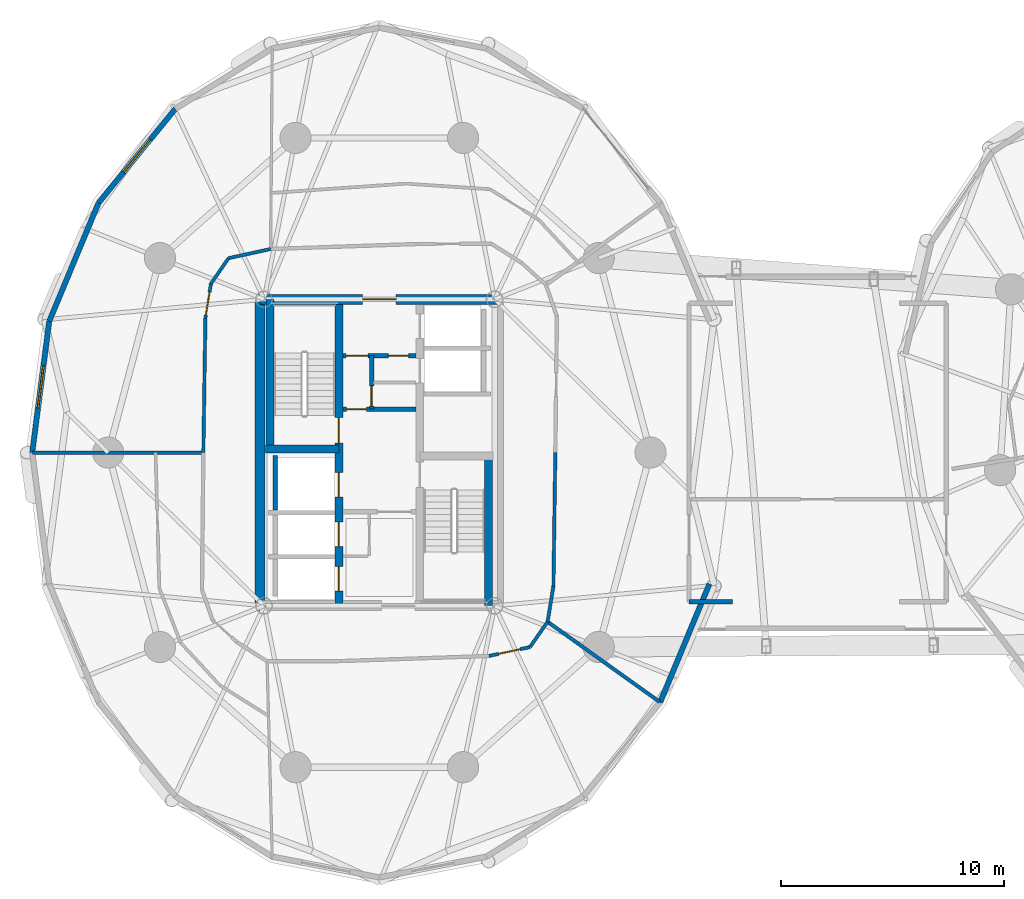
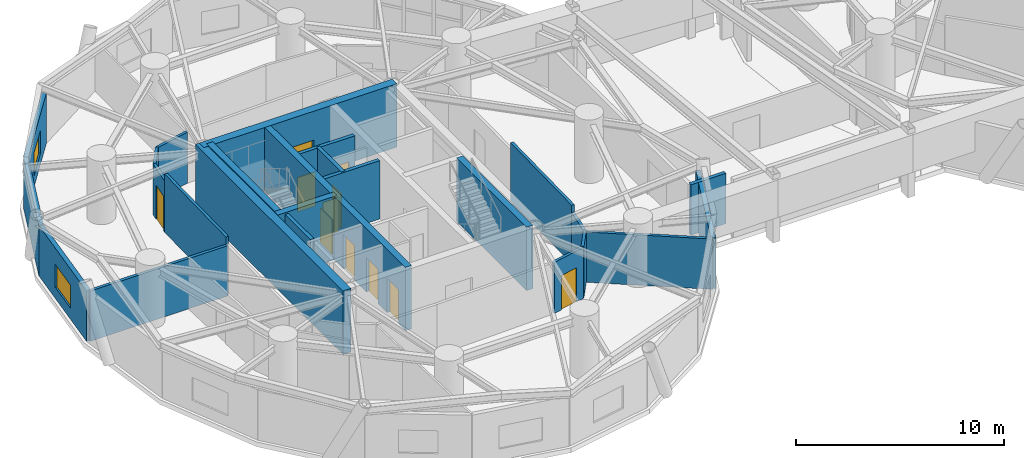
# One storey, part 10 of 17: 25 walls, 11 doors, 2 windows, 13 openings.
"""IFC4 building model written with IfcOpenShell, lengths in metres."""

from ifc_helpers import new_model, si_unit, direction, frame, frame_2d, origin, place, context, subcontext, project, spatial, rectangle, extrude, source, transform, mapped, material, layer, layer_set, type_object, element, fill, save


model = new_model("IFC4")

# Units and contexts
model_context = context("Model", 3, precision=1e-05, world=origin(), true_north=direction((0.0, 1.0)))
body_context = subcontext(model_context, "Body", "Model", "MODEL_VIEW")
ifc_project = project(units=[si_unit("LENGTHUNIT", "METRE"), si_unit("AREAUNIT", "SQUARE_METRE"), si_unit("VOLUMEUNIT", "CUBIC_METRE"), si_unit("PLANEANGLEUNIT", "RADIAN"), si_unit("MASSUNIT", "GRAM", prefix="KILO")], contexts=[model_context])

# Site, building, storey
site_placement = place(None, origin())
site = spatial("IfcSite", under=ifc_project, at=site_placement, CompositionType="ELEMENT")
building_placement = place(site_placement, origin())
building = spatial("IfcBuilding", under=site, at=building_placement, Name="Cununo Teusaquillo Station Towers", CompositionType="ELEMENT")
storey_placement = place(building_placement, frame((0.0, 0.0, 125.43994140625)))
storey = spatial("IfcBuildingStorey", under=building, at=storey_placement, Name="L40", CompositionType="ELEMENT", Elevation=125.43994140625)

# Wall
ifc_material_1 = material(Name="Concrete C50/60", Category="concrete")
ifc_layer_1 = layer(ifc_material_1, 0.199951171875)
ifc_layer_set_1 = layer_set([ifc_layer_1], Name="Concrete C50/60")
wall_type_1 = type_object("IfcWallType", Name="WL-CORE-200", PredefinedType="SHEAR", material=ifc_layer_set_1)
wall_1_placement = place(storey_placement, frame((11.820068359375, 21.919921875, 0.0), z_axis=(0.0, 0.0, 1.0), x_axis=(0.0, 1.0, 0.0)))
element("IfcWall", 1, at=wall_1_placement, inside=storey, type_object=wall_type_1, Name="L40 Tower A Firefighting Lift Shaft Rear Shear Wall", PredefinedType="SHEAR", context=body_context, shape_type="SweptSolid", body=[
    extrude(rectangle(XDim=2.440185546875, YDim=0.199951171875, at=frame_2d((1.22021484375, 0.0))), origin(), (0.0, 0.0, 1.0), 3.719970703125),
])

# Wall, openings, doors
ifc_material_2 = material(Name="Concrete C50/60", Category="concrete")
ifc_layer_2 = layer(ifc_material_2, 0.35009765625)
ifc_layer_set_2 = layer_set([ifc_layer_2], Name="Concrete C50/60")
wall_type_2 = type_object("IfcWallType", Name="WL-CORE-350", PredefinedType="SHEAR", material=ifc_layer_set_2)
wall_2_placement = place(storey_placement, frame((14.68505859375, 17.625, 0.0), z_axis=(0.0, 0.0, 1.0), x_axis=(0.0, 1.0, 0.0)))
wall_2 = element("IfcWall", 2, at=wall_2_placement, inside=storey, type_object=wall_type_2, Name="L40 Tower A Core Shear Wall IW", PredefinedType="SHEAR", context=body_context, shape_type="SweptSolid", body=[
    extrude(rectangle(XDim=13.75, YDim=0.35009765625, at=frame_2d((6.875, 0.0))), origin(), (0.0, 0.0, 1.0), 3.719970703125),
])
shared_shape_1 = source(origin(), body_context, "Body", "SweptSolid", [
    extrude(rectangle(XDim=1.10009765625, YDim=2.014892578125, at=frame_2d((0.550048828125, 1.00732421875))), frame((0.0, 0.18505859375, 0.0), z_axis=(0.0, -1.0, 0.0), x_axis=(1.0, 0.0, 0.0)), (0.0, 0.0, 1.0), 0.3701171875),
])
opening_1_placement = place(wall_2_placement, frame((4.875, 0.0, 0.0)))
opening_1 = element("IfcOpeningElement", 3, at=opening_1_placement, cuts=wall_2, Name="Opening LD-01", PredefinedType="OPENING", context=body_context, shape_type="MappedRepresentation", body=[
    mapped(shared_shape_1, transform((0.0, 0.0, 0.0), x_axis=(1.0, 0.0, 0.0), y_axis=(0.0, 1.0, 0.0), z_axis=(0.0, 0.0, 1.0), scale=1.0)),
])
opening_2_placement = place(wall_2_placement, frame((0.64990234375, 0.0, 0.0)))
opening_2 = element("IfcOpeningElement", 4, at=opening_2_placement, cuts=wall_2, Name="Opening LD-01", PredefinedType="OPENING", context=body_context, shape_type="MappedRepresentation", body=[
    mapped(shared_shape_1, transform((0.0, 0.0, 0.0), x_axis=(1.0, 0.0, 0.0), y_axis=(0.0, 1.0, 0.0), z_axis=(0.0, 0.0, 1.0), scale=1.0)),
])
opening_3_placement = place(wall_2_placement, frame((2.64990234375, 0.0, 0.0)))
opening_3 = element("IfcOpeningElement", 5, at=opening_3_placement, cuts=wall_2, Name="Opening LD-01", PredefinedType="OPENING", context=body_context, shape_type="MappedRepresentation", body=[
    mapped(shared_shape_1, transform((0.0, 0.0, 0.0), x_axis=(1.0, 0.0, 0.0), y_axis=(0.0, 1.0, 0.0), z_axis=(0.0, 0.0, 1.0), scale=1.0)),
])
shared_shape_2 = source(origin(), body_context, "Body", "SweptSolid", [
    extrude(rectangle(XDim=1.14990234375, YDim=2.02001953125, at=frame_2d((0.574951171875, 1.010009765625))), frame((0.0, 0.18505859375, 0.0), z_axis=(0.0, -1.0, 0.0), x_axis=(1.0, 0.0, 0.0)), (0.0, 0.0, 1.0), 0.3701171875),
])
opening_4_placement = place(wall_2_placement, frame((7.294921875, 0.0, 0.0)))
opening_4 = element("IfcOpeningElement", 6, at=opening_4_placement, cuts=wall_2, Name="Opening D-ST1", PredefinedType="OPENING", context=body_context, shape_type="MappedRepresentation", body=[
    mapped(shared_shape_2, transform((0.0, 0.0, 0.0), x_axis=(1.0, 0.0, 0.0), y_axis=(0.0, 1.0, 0.0), z_axis=(0.0, 0.0, 1.0), scale=1.0)),
])
ifc_material_3 = material(Name="Galvanised fire-rated hollow steel door assembly", Category="steel")
door_type_1 = type_object("IfcDoorType", Name="DR-LIFT-1100", OperationType="SLIDING_TO_LEFT", PredefinedType="DOOR", material=ifc_material_3)
shared_shape_3 = source(origin(), body_context, "Body", "SweptSolid", [
    extrude(rectangle(XDim=1.10009765625, YDim=2.014892578125, at=frame_2d((0.550048828125, 1.00732421875))), frame((0.0, 0.02490234375, 0.0), z_axis=(0.0, -1.0, 0.0), x_axis=(1.0, 0.0, 0.0)), (0.0, 0.0, 1.0), 0.050048828125),
])
door_1_placement = place(opening_1_placement, origin())
door_1 = element("IfcDoor", 7, at=door_1_placement, inside=storey, type_object=door_type_1, Name="L40 Lift FL-T1 Sliding Landing Door", OperationType="SLIDING_TO_LEFT", OverallHeight=2.014892578125, OverallWidth=1.10009765625, PredefinedType="DOOR", context=body_context, shape_type="MappedRepresentation", body=[
    mapped(shared_shape_3, transform((0.0, 0.0, 0.0), x_axis=(1.0, 0.0, 0.0), y_axis=(0.0, 1.0, 0.0), z_axis=(0.0, 0.0, 1.0), scale=1.0)),
])
fill(opening_1, door_1)
door_2_placement = place(opening_2_placement, origin())
door_2 = element("IfcDoor", 8, at=door_2_placement, inside=storey, type_object=door_type_1, Name="L40 Lift PL-T1-H1 Sliding Landing Door", OperationType="SLIDING_TO_LEFT", OverallHeight=2.014892578125, OverallWidth=1.10009765625, PredefinedType="DOOR", context=body_context, shape_type="MappedRepresentation", body=[
    mapped(shared_shape_3, transform((0.0, 0.0, 0.0), x_axis=(1.0, 0.0, 0.0), y_axis=(0.0, 1.0, 0.0), z_axis=(0.0, 0.0, 1.0), scale=1.0)),
])
fill(opening_2, door_2)
door_3_placement = place(opening_3_placement, origin())
door_3 = element("IfcDoor", 9, at=door_3_placement, inside=storey, type_object=door_type_1, Name="L40 Lift PL-T1-H2 Sliding Landing Door", OperationType="SLIDING_TO_RIGHT", OverallHeight=2.014892578125, OverallWidth=1.10009765625, PredefinedType="DOOR", context=body_context, shape_type="MappedRepresentation", body=[
    mapped(shared_shape_3, transform((0.0, 0.0, 0.0), x_axis=(1.0, 0.0, 0.0), y_axis=(0.0, 1.0, 0.0), z_axis=(0.0, 0.0, 1.0), scale=1.0)),
])
fill(opening_3, door_3)
ifc_material_4 = material(Name="Galvanised fire-rated hollow steel door assembly", Category="steel")
door_type_2 = type_object("IfcDoorType", Name="DR-STAIR-1150", OperationType="NOTDEFINED", PredefinedType="DOOR", material=ifc_material_4)
shared_shape_4 = source(origin(), body_context, "Body", "SweptSolid", [
    extrude(rectangle(XDim=1.14990234375, YDim=2.02001953125, at=frame_2d((0.574951171875, 1.010009765625))), frame((0.0, 0.02490234375, 0.0), z_axis=(0.0, -1.0, 0.0), x_axis=(1.0, 0.0, 0.0)), (0.0, 0.0, 1.0), 0.050048828125),
])
door_4_placement = place(opening_4_placement, origin())
door_4 = element("IfcDoor", 10, at=door_4_placement, inside=storey, type_object=door_type_2, Name="L40 Tower A Exit Stair 1 Fire Door", OperationType="SINGLE_SWING_RIGHT", OverallHeight=2.02001953125, OverallWidth=1.14990234375, PredefinedType="DOOR", context=body_context, shape_type="MappedRepresentation", body=[
    mapped(shared_shape_4, transform((0.0, 0.0, 0.0), x_axis=(1.0, 0.0, 0.0), y_axis=(0.0, 1.0, 0.0), z_axis=(0.0, 0.0, 1.0), scale=1.0)),
])
fill(opening_4, door_4)

# Walls
wall_3_placement = place(storey_placement, frame((11.594970703125, 24.655029296875, 0.0), z_axis=(0.0, 0.0, 1.0), x_axis=(0.0, 1.0, 0.0)))
element("IfcWall", 11, at=wall_3_placement, inside=storey, type_object=wall_type_2, Name="L40 Tower A Core Shear Wall ST1W", PredefinedType="SHEAR", context=body_context, shape_type="SweptSolid", body=[
    extrude(rectangle(XDim=6.719970703125, YDim=0.35009765625, at=frame_2d((3.35986328125, 0.0))), origin(), (0.0, 0.0, 1.0), 3.719970703125),
])
wall_4_placement = place(storey_placement, frame((11.39990234375, 24.655029296875, 0.0), z_axis=(0.0, 0.0, 1.0), x_axis=(1.0, 0.0, 0.0)))
element("IfcWall", 12, at=wall_4_placement, inside=storey, type_object=wall_type_2, Name="L40 Tower A Core Shear Wall ST1S", PredefinedType="SHEAR", context=body_context, shape_type="SweptSolid", body=[
    extrude(rectangle(XDim=3.28515625, YDim=0.35009765625, at=frame_2d((1.642578125, 0.0))), origin(), (0.0, 0.0, 1.0), 3.719970703125),
])
wall_5_placement = place(storey_placement, frame((21.405029296875, 17.625, 0.0), z_axis=(0.0, 0.0, 1.0), x_axis=(0.0, 1.0, 0.0)))
element("IfcWall", 13, at=wall_5_placement, inside=storey, type_object=wall_type_2, Name="L40 Tower A Core Shear Wall ST2E", PredefinedType="SHEAR", context=body_context, shape_type="SweptSolid", body=[
    extrude(rectangle(XDim=6.719970703125, YDim=0.35009765625, at=frame_2d((3.35986328125, 0.0))), origin(), (0.0, 0.0, 1.0), 3.719970703125),
])
ifc_material_5 = material(Name="Concrete C60/75", Category="concrete")
ifc_layer_3 = layer(ifc_material_5, 0.449951171875)
ifc_layer_set_3 = layer_set([ifc_layer_3], Name="Concrete C60/75")
wall_type_3 = type_object("IfcWallType", Name="WL-CORE-450", PredefinedType="SHEAR", material=ifc_layer_set_3)
wall_6_placement = place(storey_placement, frame((11.14990234375, 17.39990234375, 0.0), z_axis=(0.0, 0.0, 1.0), x_axis=(0.0, 1.0, 0.0)))
element("IfcWall", 14, at=wall_6_placement, inside=storey, type_object=wall_type_3, Name="L40 Tower A Core Shear Wall W", PredefinedType="SHEAR", context=body_context, shape_type="SweptSolid", body=[
    extrude(rectangle(XDim=14.2001953125, YDim=0.449951171875, at=frame_2d((7.10009765625, 0.0))), origin(), (0.0, 0.0, 1.0), 3.719970703125),
])

# Wall, opening, door
wall_7_placement = place(storey_placement, frame((11.14990234375, 31.375, 0.0), z_axis=(0.0, 0.0, 1.0), x_axis=(1.0, 0.0, 0.0)))
wall_7 = element("IfcWall", 15, at=wall_7_placement, inside=storey, type_object=wall_type_3, Name="L40 Tower A Core Shear Wall N", PredefinedType="SHEAR", context=body_context, shape_type="SweptSolid", body=[
    extrude(rectangle(XDim=10.7001953125, YDim=0.449951171875, at=frame_2d((5.35009765625, 0.0))), origin(), (0.0, 0.0, 1.0), 3.719970703125),
])
shared_shape_5 = source(origin(), body_context, "Body", "SweptSolid", [
    extrude(rectangle(XDim=1.5, YDim=2.02001953125, at=frame_2d((0.75, 1.010009765625))), frame((0.0, 0.23486328125, 0.0), z_axis=(0.0, -1.0, 0.0), x_axis=(1.0, 0.0, 0.0)), (0.0, 0.0, 1.0), 0.469970703125),
])
opening_5_placement = place(wall_7_placement, frame((4.60009765625, 0.0, 0.0)))
opening_5 = element("IfcOpeningElement", 16, at=opening_5_placement, cuts=wall_7, Name="Opening D-LB1", PredefinedType="OPENING", context=body_context, shape_type="MappedRepresentation", body=[
    mapped(shared_shape_5, transform((0.0, 0.0, 0.0), x_axis=(1.0, 0.0, 0.0), y_axis=(0.0, 1.0, 0.0), z_axis=(0.0, 0.0, 1.0), scale=1.0)),
])
ifc_material_6 = material(Name="Galvanised fire-rated hollow steel door assembly", Category="steel")
door_type_3 = type_object("IfcDoorType", Name="DR-LOBBY-1500", OperationType="DOUBLE_DOOR_SINGLE_SWING", PredefinedType="DOOR", material=ifc_material_6)
shared_shape_6 = source(origin(), body_context, "Body", "SweptSolid", [
    extrude(rectangle(XDim=1.5, YDim=2.02001953125, at=frame_2d((0.75, 1.010009765625))), frame((0.0, 0.02490234375, 0.0), z_axis=(0.0, -1.0, 0.0), x_axis=(1.0, 0.0, 0.0)), (0.0, 0.0, 1.0), 0.050048828125),
])
door_5_placement = place(opening_5_placement, origin())
door_5 = element("IfcDoor", 17, at=door_5_placement, inside=storey, type_object=door_type_3, Name="L40 Tower A North Core Lift Lobby Door", OperationType="DOUBLE_DOOR_SINGLE_SWING", OverallHeight=2.02001953125, OverallWidth=1.5, PredefinedType="DOOR", context=body_context, shape_type="MappedRepresentation", body=[
    mapped(shared_shape_6, transform((0.0, 0.0, 0.0), x_axis=(1.0, 0.0, 0.0), y_axis=(0.0, 1.0, 0.0), z_axis=(0.0, 0.0, 1.0), scale=1.0)),
])
fill(opening_5, door_5)

# Wall, opening, window
ifc_material_7 = material(Name="Precast concrete C40/50", Category="concrete")
ifc_layer_4 = layer(ifc_material_7, 0.239990234375)
ifc_layer_set_4 = layer_set([ifc_layer_4], Name="Precast concrete C40/50")
wall_type_4 = type_object("IfcWallType", Name="WL-EXT-240", PredefinedType="SOLIDWALL", material=ifc_layer_set_4)
wall_8_placement = place(storey_placement, frame((3.894775390625, 35.708984375, 0.0), z_axis=(0.0, 0.0, 1.0), x_axis=(0.632700781152, 0.77439635945, 0.0)))
wall_8 = element("IfcWall", 18, at=wall_8_placement, inside=storey, type_object=wall_type_4, Name="L40 Tower A Exterior Facade Wall C07", PredefinedType="SOLIDWALL", context=body_context, shape_type="SweptSolid", body=[
    extrude(rectangle(XDim=5.447998046875, YDim=0.239990234375, at=frame_2d((2.72412109375, 0.0))), origin(), (0.0, 0.0, 1.0), 2.948974609375),
])
shared_shape_7 = source(origin(), body_context, "Body", "SweptSolid", [
    extrude(rectangle(XDim=1.89990234375, YDim=1.35009765625, at=frame_2d((0.949951171875, 0.675048828125))), frame((0.0, 0.1298828125, 0.0), z_axis=(0.0, -1.0, 0.0), x_axis=(1.0, 0.0, 0.0)), (0.0, 0.0, 1.0), 0.260009765625),
])
opening_6_placement = place(wall_8_placement, frame((1.77392578125, 0.0, 0.64990234375)))
opening_6 = element("IfcOpeningElement", 19, at=opening_6_placement, cuts=wall_8, Name="Opening WN-02", PredefinedType="OPENING", context=body_context, shape_type="MappedRepresentation", body=[
    mapped(shared_shape_7, transform((0.0, 0.0, 0.0), x_axis=(1.0, 0.0, 0.0), y_axis=(0.0, 1.0, 0.0), z_axis=(0.0, 0.0, 1.0), scale=1.0)),
])
ifc_material_8 = material(Name="Operable acoustic tinted low-E double glazing", Category="glass")
window_type = type_object("IfcWindowType", Name="WIN-OPER-1900", PartitioningType="DOUBLE_PANEL_VERTICAL", PredefinedType="WINDOW", material=ifc_material_8)
shared_shape_8 = source(origin(), body_context, "Body", "SweptSolid", [
    extrude(rectangle(XDim=1.89990234375, YDim=1.35009765625, at=frame_2d((0.949951171875, 0.675048828125))), frame((0.0, 0.030029296875, 0.0), z_axis=(0.0, -1.0, 0.0), x_axis=(1.0, 0.0, 0.0)), (0.0, 0.0, 1.0), 0.06005859375),
])
window_1_placement = place(opening_6_placement, origin())
window_1 = element("IfcWindow", 20, at=window_1_placement, inside=storey, type_object=window_type, Name="L40 Tower A Facade Window C07", OverallHeight=1.35009765625, OverallWidth=1.89990234375, PartitioningType="DOUBLE_PANEL_VERTICAL", PredefinedType="WINDOW", context=body_context, shape_type="MappedRepresentation", body=[
    mapped(shared_shape_8, transform((0.0, 0.0, 0.0), x_axis=(1.0, 0.0, 0.0), y_axis=(0.0, 1.0, 0.0), z_axis=(0.0, 0.0, 1.0), scale=1.0)),
])
fill(opening_6, window_1)

# Wall
wall_9_placement = place(storey_placement, frame((1.681640625, 30.39306640625, 0.0), z_axis=(0.0, 0.0, 1.0), x_axis=(0.384344417632, 0.923189779317, 0.0)))
element("IfcWall", 21, at=wall_9_placement, inside=storey, type_object=wall_type_4, Name="L40 Tower A Exterior Facade Wall C08", PredefinedType="SOLIDWALL", context=body_context, shape_type="SweptSolid", body=[
    extrude(rectangle(XDim=5.75830078125, YDim=0.239990234375, at=frame_2d((2.879150390625, 0.0))), origin(), (0.0, 0.0, 1.0), 2.948974609375),
])

# Wall, opening, window
wall_10_placement = place(storey_placement, frame((0.9189453125, 24.5, 0.0), z_axis=(0.0, 0.0, 1.0), x_axis=(0.128351991996, 0.991728675672, 0.0)))
wall_10 = element("IfcWall", 22, at=wall_10_placement, inside=storey, type_object=wall_type_4, Name="L40 Tower A Exterior Facade Wall C09", PredefinedType="SOLIDWALL", context=body_context, shape_type="SweptSolid", body=[
    extrude(rectangle(XDim=5.942138671875, YDim=0.239990234375, at=frame_2d((2.97119140625, 0.0))), origin(), (0.0, 0.0, 1.0), 2.948974609375),
])
opening_7_placement = place(wall_10_placement, frame((2.02099609375, 0.0, 0.64990234375)))
opening_7 = element("IfcOpeningElement", 23, at=opening_7_placement, cuts=wall_10, Name="Opening WN-02", PredefinedType="OPENING", context=body_context, shape_type="MappedRepresentation", body=[
    mapped(shared_shape_7, transform((0.0, 0.0, 0.0), x_axis=(1.0, 0.0, 0.0), y_axis=(0.0, 1.0, 0.0), z_axis=(0.0, 0.0, 1.0), scale=1.0)),
])
window_2_placement = place(opening_7_placement, origin())
window_2 = element("IfcWindow", 24, at=window_2_placement, inside=storey, type_object=window_type, Name="L40 Tower A Facade Window C09", OverallHeight=1.35009765625, OverallWidth=1.89990234375, PartitioningType="DOUBLE_PANEL_VERTICAL", PredefinedType="WINDOW", context=body_context, shape_type="MappedRepresentation", body=[
    mapped(shared_shape_8, transform((0.0, 0.0, 0.0), x_axis=(1.0, 0.0, 0.0), y_axis=(0.0, 1.0, 0.0), z_axis=(0.0, 0.0, 1.0), scale=1.0)),
])
fill(opening_7, window_2)

# Walls
wall_11_placement = place(storey_placement, frame((31.318359375, 18.60693359375, 0.0), z_axis=(0.0, 0.0, 1.0), x_axis=(-0.384344417632, -0.923189779317, 0.0)))
element("IfcWall", 25, at=wall_11_placement, inside=storey, type_object=wall_type_4, Name="L40 Tower A Exterior Facade Wall C18", PredefinedType="SOLIDWALL", context=body_context, shape_type="SweptSolid", body=[
    extrude(rectangle(XDim=5.75830078125, YDim=0.239990234375, at=frame_2d((2.879150390625, 0.0))), origin(), (0.0, 0.0, 1.0), 2.948974609375),
])
ifc_material_9 = material(Name="Fire-rated gypsum plasterboard partition assembly", Category="gypsum")
ifc_layer_5 = layer(ifc_material_9, 0.14990234375)
ifc_layer_set_5 = layer_set([ifc_layer_5], Name="Fire-rated gypsum plasterboard partition assembly")
wall_type_5 = type_object("IfcWallType", Name="WL-PART-150", PredefinedType="PARTITIONING", material=ifc_layer_set_5)
wall_12_placement = place(storey_placement, frame((11.619873046875, 33.63720703125, 0.0), z_axis=(0.0, 0.0, 1.0), x_axis=(-0.97702579435, -0.213121085711, 0.0)))
element("IfcWall", 26, at=wall_12_placement, inside=storey, type_object=wall_type_5, Name="L40 Tower A Corridor Ring Wall C06", PredefinedType="PARTITIONING", context=body_context, shape_type="SweptSolid", body=[
    extrude(rectangle(XDim=1.934814453125, YDim=0.14990234375, at=frame_2d((0.96728515625, 0.0))), origin(), (0.0, 0.0, 1.0), 2.9951171875),
])
wall_13_placement = place(storey_placement, frame((9.7294921875, 33.224853515625, 0.0), z_axis=(0.0, 0.0, 1.0), x_axis=(-0.567183649484, -0.82359134755, 0.0)))
element("IfcWall", 27, at=wall_13_placement, inside=storey, type_object=wall_type_5, Name="L40 Tower A Corridor Ring Wall C07", PredefinedType="PARTITIONING", context=body_context, shape_type="SweptSolid", body=[
    extrude(rectangle(XDim=1.39208984375, YDim=0.14990234375, at=frame_2d((0.696044921875, 0.0))), origin(), (0.0, 0.0, 1.0), 2.9951171875),
])

# Wall, opening, door
wall_14_placement = place(storey_placement, frame((8.93994140625, 32.078369140625, 0.0), z_axis=(0.0, 0.0, 1.0), x_axis=(-0.159148467753, -0.98725466077, 0.0)))
wall_14 = element("IfcWall", 28, at=wall_14_placement, inside=storey, type_object=wall_type_5, Name="L40 Tower A Corridor Ring Wall C08", PredefinedType="PARTITIONING", context=body_context, shape_type="SweptSolid", body=[
    extrude(rectangle(XDim=1.553955078125, YDim=0.14990234375, at=frame_2d((0.77685546875, 0.0))), origin(), (0.0, 0.0, 1.0), 2.9951171875),
])
shared_shape_9 = source(origin(), body_context, "Body", "SweptSolid", [
    extrude(rectangle(XDim=1.050048828125, YDim=2.014892578125, at=frame_2d((0.52490234375, 1.00732421875))), frame((0.0, 0.0849609375, 0.0), z_axis=(0.0, -1.0, 0.0), x_axis=(1.0, 0.0, 0.0)), (0.0, 0.0, 1.0), 0.169921875),
])
opening_8_placement = place(wall_14_placement, frame((0.384033203125, 0.0, 0.0)))
opening_8 = element("IfcOpeningElement", 29, at=opening_8_placement, cuts=wall_14, Name="Opening D-SU1", PredefinedType="OPENING", context=body_context, shape_type="MappedRepresentation", body=[
    mapped(shared_shape_9, transform((0.0, 0.0, 0.0), x_axis=(1.0, 0.0, 0.0), y_axis=(0.0, 1.0, 0.0), z_axis=(0.0, 0.0, 1.0), scale=1.0)),
])
ifc_material_10 = material(Name="Acoustic solid-core hardwood leaf assembly", Category="wood")
door_type_4 = type_object("IfcDoorType", Name="DR-SUITE-1050", OperationType="NOTDEFINED", PredefinedType="DOOR", material=ifc_material_10)
shared_shape_10 = source(origin(), body_context, "Body", "SweptSolid", [
    extrude(rectangle(XDim=1.050048828125, YDim=2.014892578125, at=frame_2d((0.52490234375, 1.00732421875))), frame((0.0, 0.02490234375, 0.0), z_axis=(0.0, -1.0, 0.0), x_axis=(1.0, 0.0, 0.0)), (0.0, 0.0, 1.0), 0.050048828125),
])
door_6_placement = place(opening_8_placement, origin())
door_6 = element("IfcDoor", 30, at=door_6_placement, inside=storey, type_object=door_type_4, Name="L40 Tower A Sky-Concourse Exhibition Salon Entrance Door", OperationType="SINGLE_SWING_LEFT", OverallHeight=2.014892578125, OverallWidth=1.050048828125, PredefinedType="DOOR", context=body_context, shape_type="MappedRepresentation", body=[
    mapped(shared_shape_10, transform((0.0, 0.0, 0.0), x_axis=(1.0, 0.0, 0.0), y_axis=(0.0, 1.0, 0.0), z_axis=(0.0, 0.0, 1.0), scale=1.0)),
])
fill(opening_8, door_6)

# Wall
wall_15_placement = place(storey_placement, frame((8.692626953125, 30.544189453125, 0.0), z_axis=(0.0, 0.0, 1.0), x_axis=(-0.015307007986, -0.99988284089, 0.0)))
element("IfcWall", 31, at=wall_15_placement, inside=storey, type_object=wall_type_5, Name="L40 Tower A Corridor Ring Wall C09", PredefinedType="PARTITIONING", context=body_context, shape_type="SweptSolid", body=[
    extrude(rectangle(XDim=6.044921875, YDim=0.14990234375, at=frame_2d((3.0224609375, 0.0))), origin(), (0.0, 0.0, 1.0), 3.425048828125),
])

# Wall, opening, door
wall_16_placement = place(storey_placement, frame((21.418701171875, 15.369140625, 0.0), z_axis=(0.0, 0.0, 1.0), x_axis=(0.977192701953, 0.212354475464, 0.0)))
wall_16 = element("IfcWall", 32, at=wall_16_placement, inside=storey, type_object=wall_type_5, Name="L40 Tower A Corridor Ring Wall C16", PredefinedType="PARTITIONING", context=body_context, shape_type="SweptSolid", body=[
    extrude(rectangle(XDim=1.8876953125, YDim=0.14990234375, at=frame_2d((0.94384765625, 0.0))), origin(), (0.0, 0.0, 1.0), 2.9951171875),
])
shared_shape_11 = source(origin(), body_context, "Body", "SweptSolid", [
    extrude(rectangle(XDim=1.0, YDim=2.014892578125, at=frame_2d((0.5, 1.00732421875))), frame((0.0, 0.0849609375, 0.0), z_axis=(0.0, -1.0, 0.0), x_axis=(1.0, 0.0, 0.0)), (0.0, 0.0, 1.0), 0.169921875),
])
opening_9_placement = place(wall_16_placement, frame((0.44384765625, 0.0, 0.0)))
opening_9 = element("IfcOpeningElement", 33, at=opening_9_placement, cuts=wall_16, Name="Opening D-AC1", PredefinedType="OPENING", context=body_context, shape_type="MappedRepresentation", body=[
    mapped(shared_shape_11, transform((0.0, 0.0, 0.0), x_axis=(1.0, 0.0, 0.0), y_axis=(0.0, 1.0, 0.0), z_axis=(0.0, 0.0, 1.0), scale=1.0)),
])
ifc_material_11 = material(Name="Acoustic solid-core hardwood leaf assembly", Category="wood")
door_type_5 = type_object("IfcDoorType", Name="DR-ACC-1000", OperationType="NOTDEFINED", PredefinedType="DOOR", material=ifc_material_11)
shared_shape_12 = source(origin(), body_context, "Body", "SweptSolid", [
    extrude(rectangle(XDim=1.0, YDim=2.014892578125, at=frame_2d((0.5, 1.00732421875))), frame((0.0, 0.02490234375, 0.0), z_axis=(0.0, -1.0, 0.0), x_axis=(1.0, 0.0, 0.0)), (0.0, 0.0, 1.0), 0.050048828125),
])
door_7_placement = place(opening_9_placement, origin())
door_7 = element("IfcDoor", 34, at=door_7_placement, inside=storey, type_object=door_type_5, Name="L40 Tower A Public Accessible Restroom WC Entrance Door", OperationType="SINGLE_SWING_RIGHT", OverallHeight=2.014892578125, OverallWidth=1.0, PredefinedType="DOOR", context=body_context, shape_type="MappedRepresentation", body=[
    mapped(shared_shape_12, transform((0.0, 0.0, 0.0), x_axis=(1.0, 0.0, 0.0), y_axis=(0.0, 1.0, 0.0), z_axis=(0.0, 0.0, 1.0), scale=1.0)),
])
fill(opening_9, door_7)

# Walls
wall_17_placement = place(storey_placement, frame((23.263427734375, 15.77001953125, 0.0), z_axis=(0.0, 0.0, 1.0), x_axis=(0.570743456919, 0.821128434768, 0.0)))
element("IfcWall", 35, at=wall_17_placement, inside=storey, type_object=wall_type_5, Name="L40 Tower A Corridor Ring Wall C17", PredefinedType="PARTITIONING", context=body_context, shape_type="SweptSolid", body=[
    extrude(rectangle(XDim=1.381591796875, YDim=0.14990234375, at=frame_2d((0.69091796875, 0.0))), origin(), (0.0, 0.0, 1.0), 2.9951171875),
])
wall_18_placement = place(storey_placement, frame((24.052001953125, 16.904541015625, 0.0), z_axis=(0.0, 0.0, 1.0), x_axis=(0.162091534225, 0.986775726562, 0.0)))
element("IfcWall", 36, at=wall_18_placement, inside=storey, type_object=wall_type_5, Name="L40 Tower A Corridor Ring Wall C18", PredefinedType="PARTITIONING", context=body_context, shape_type="SweptSolid", body=[
    extrude(rectangle(XDim=1.613037109375, YDim=0.14990234375, at=frame_2d((0.806640625, 0.0))), origin(), (0.0, 0.0, 1.0), 2.9951171875),
])
wall_19_placement = place(storey_placement, frame((24.3134765625, 18.496337890625, 0.0), z_axis=(0.0, 0.0, 1.0), x_axis=(0.014394019188, 0.999896400739, 0.0)))
element("IfcWall", 37, at=wall_19_placement, inside=storey, type_object=wall_type_5, Name="L40 Tower A Corridor Ring Wall C19", PredefinedType="PARTITIONING", context=body_context, shape_type="SweptSolid", body=[
    extrude(rectangle(XDim=6.00439453125, YDim=0.14990234375, at=frame_2d((3.002197265625, 0.0))), origin(), (0.0, 0.0, 1.0), 3.425048828125),
])
ifc_material_12 = material(Name="Fire-rated gypsum plasterboard partition assembly", Category="gypsum")
ifc_layer_6 = layer(ifc_material_12, 0.159912109375)
ifc_layer_set_6 = layer_set([ifc_layer_6], Name="Fire-rated gypsum plasterboard partition assembly")
wall_type_6 = type_object("IfcWallType", Name="WL-PART-160", PredefinedType="PARTITIONING", material=ifc_layer_set_6)
wall_20_placement = place(storey_placement, frame((8.60009765625, 24.5, 0.0), z_axis=(0.0, 0.0, 1.0), x_axis=(-1.0, 0.0, 0.0)))
element("IfcWall", 38, at=wall_20_placement, inside=storey, type_object=wall_type_6, Name="L40 Tower A Radial Suite Partition R03", PredefinedType="PARTITIONING", context=body_context, shape_type="SweptSolid", body=[
    extrude(rectangle(XDim=7.6611328125, YDim=0.159912109375, at=frame_2d((3.83056640625, 0.0))), origin(), (0.0, 0.0, 1.0), 2.948974609375),
])
wall_21_placement = place(storey_placement, frame((24.052001953125, 16.904541015625, 0.0), z_axis=(0.0, 0.0, 1.0), x_axis=(0.813437670746, -0.581652091727, 0.0)))
element("IfcWall", 39, at=wall_21_placement, inside=storey, type_object=wall_type_6, Name="L40 Tower A Radial Suite Partition R05", PredefinedType="PARTITIONING", context=body_context, shape_type="SweptSolid", body=[
    extrude(rectangle(XDim=6.1923828125, YDim=0.159912109375, at=frame_2d((3.09619140625, 0.0))), origin(), (0.0, 0.0, 1.0), 2.948974609375),
])
ifc_material_13 = material(Name="Fire-rated gypsum plasterboard partition assembly", Category="gypsum")
ifc_layer_7 = layer(ifc_material_13, 0.199951171875)
ifc_layer_set_7 = layer_set([ifc_layer_7], Name="Fire-rated gypsum plasterboard partition assembly")
wall_type_7 = type_object("IfcWallType", Name="WL-PART-200", PredefinedType="PARTITIONING", material=ifc_layer_set_7)
wall_22_placement = place(storey_placement, frame((30.39990234375, 17.800048828125, 0.0), z_axis=(0.0, 0.0, 1.0), x_axis=(1.0, 0.0, 0.0)))
element("IfcWall", 40, at=wall_22_placement, inside=storey, type_object=wall_type_7, Name="L40 Mid-Bridge Portal Return Wall WS", PredefinedType="PARTITIONING", context=body_context, shape_type="SweptSolid", body=[
    extrude(rectangle(XDim=1.9501953125, YDim=0.199951171875, at=frame_2d((0.97509765625, 0.0))), origin(), (0.0, 0.0, 1.0), 2.948974609375),
])

# Wall, opening, door
wall_23_placement = place(storey_placement, frame((14.860107421875, 26.449951171875, 0.0), z_axis=(0.0, 0.0, 1.0), x_axis=(1.0, 0.0, 0.0)))
wall_23 = element("IfcWall", 41, at=wall_23_placement, inside=storey, type_object=wall_type_7, Name="L40 Tower A Firefighting Lift Lobby North Fire Wall", PredefinedType="PARTITIONING", context=body_context, shape_type="SweptSolid", body=[
    extrude(rectangle(XDim=3.27978515625, YDim=0.199951171875, at=frame_2d((1.639892578125, 0.0))), origin(), (0.0, 0.0, 1.0), 3.425048828125),
])
shared_shape_13 = source(origin(), body_context, "Body", "SweptSolid", [
    extrude(rectangle(XDim=0.89990234375, YDim=2.0048828125, at=frame_2d((0.449951171875, 1.00244140625))), frame((0.0, 0.10986328125, 0.0), z_axis=(0.0, -1.0, 0.0), x_axis=(1.0, 0.0, 0.0)), (0.0, 0.0, 1.0), 0.219970703125),
])
opening_10_placement = place(wall_23_placement, frame((0.159912109375, 0.0, 0.0)))
opening_10 = element("IfcOpeningElement", 42, at=opening_10_placement, cuts=wall_23, Name="Opening D-SR1", PredefinedType="OPENING", context=body_context, shape_type="MappedRepresentation", body=[
    mapped(shared_shape_13, transform((0.0, 0.0, 0.0), x_axis=(1.0, 0.0, 0.0), y_axis=(0.0, 1.0, 0.0), z_axis=(0.0, 0.0, 1.0), scale=1.0)),
])
ifc_material_14 = material(Name="Galvanised fire-rated hollow steel door assembly", Category="steel")
door_type_6 = type_object("IfcDoorType", Name="DR-STORE-900", OperationType="NOTDEFINED", PredefinedType="DOOR", material=ifc_material_14)
shared_shape_14 = source(origin(), body_context, "Body", "SweptSolid", [
    extrude(rectangle(XDim=0.89990234375, YDim=2.0048828125, at=frame_2d((0.449951171875, 1.00244140625))), frame((0.0, 0.02490234375, 0.0), z_axis=(0.0, -1.0, 0.0), x_axis=(1.0, 0.0, 0.0)), (0.0, 0.0, 1.0), 0.050048828125),
])
door_8_placement = place(opening_10_placement, origin())
door_8 = element("IfcDoor", 43, at=door_8_placement, inside=storey, type_object=door_type_6, Name="L40 Tower A Stair 1 Protected Vestibule South Door", OperationType="SINGLE_SWING_RIGHT", OverallHeight=2.0048828125, OverallWidth=0.89990234375, PredefinedType="DOOR", context=body_context, shape_type="MappedRepresentation", body=[
    mapped(shared_shape_14, transform((0.0, 0.0, 0.0), x_axis=(1.0, 0.0, 0.0), y_axis=(0.0, 1.0, 0.0), z_axis=(0.0, 0.0, 1.0), scale=1.0)),
])
fill(opening_10, door_8)

wall_24_placement = place(storey_placement, frame((16.14990234375, 26.449951171875, 0.0), z_axis=(0.0, 0.0, 1.0), x_axis=(0.0, 1.0, 0.0)))
wall_24 = element("IfcWall", 44, at=wall_24_placement, inside=storey, type_object=wall_type_7, Name="L40 Tower A Stair 1 Vestibule Partition Wall", PredefinedType="PARTITIONING", context=body_context, shape_type="SweptSolid", body=[
    extrude(rectangle(XDim=2.400146484375, YDim=0.199951171875, at=frame_2d((1.2001953125, 0.0))), origin(), (0.0, 0.0, 1.0), 3.425048828125),
])
opening_11_placement = place(wall_24_placement, frame((0.139892578125, 0.0, 0.0)))
opening_11 = element("IfcOpeningElement", 45, at=opening_11_placement, cuts=wall_24, Name="Opening D-SR1", PredefinedType="OPENING", context=body_context, shape_type="MappedRepresentation", body=[
    mapped(shared_shape_13, transform((0.0, 0.0, 0.0), x_axis=(1.0, 0.0, 0.0), y_axis=(0.0, 1.0, 0.0), z_axis=(0.0, 0.0, 1.0), scale=1.0)),
])
door_9_placement = place(opening_11_placement, origin())
door_9 = element("IfcDoor", 46, at=door_9_placement, inside=storey, type_object=door_type_6, Name="L40 Tower A Core Linen Store Door", OperationType="SINGLE_SWING_LEFT", OverallHeight=2.0048828125, OverallWidth=0.89990234375, PredefinedType="DOOR", context=body_context, shape_type="MappedRepresentation", body=[
    mapped(shared_shape_14, transform((0.0, 0.0, 0.0), x_axis=(1.0, 0.0, 0.0), y_axis=(0.0, 1.0, 0.0), z_axis=(0.0, 0.0, 1.0), scale=1.0)),
])
fill(opening_11, door_9)

# Wall, openings, doors
wall_25_placement = place(storey_placement, frame((14.860107421875, 28.85009765625, 0.0), z_axis=(0.0, 0.0, 1.0), x_axis=(1.0, 0.0, 0.0)))
wall_25 = element("IfcWall", 47, at=wall_25_placement, inside=storey, type_object=wall_type_7, Name="L40 Tower A North Lift Lobby South Fire Wall", PredefinedType="PARTITIONING", context=body_context, shape_type="SweptSolid", body=[
    extrude(rectangle(XDim=3.27978515625, YDim=0.199951171875, at=frame_2d((1.639892578125, 0.0))), origin(), (0.0, 0.0, 1.0), 3.425048828125),
])
shared_shape_15 = source(origin(), body_context, "Body", "SweptSolid", [
    extrude(rectangle(XDim=1.0, YDim=2.014892578125, at=frame_2d((0.5, 1.00732421875))), frame((0.0, 0.10986328125, 0.0), z_axis=(0.0, -1.0, 0.0), x_axis=(1.0, 0.0, 0.0)), (0.0, 0.0, 1.0), 0.219970703125),
])
opening_12_placement = place(wall_25_placement, frame((0.139892578125, 0.0, 0.0)))
opening_12 = element("IfcOpeningElement", 48, at=opening_12_placement, cuts=wall_25, Name="Opening D-AC1", PredefinedType="OPENING", context=body_context, shape_type="MappedRepresentation", body=[
    mapped(shared_shape_15, transform((0.0, 0.0, 0.0), x_axis=(1.0, 0.0, 0.0), y_axis=(0.0, 1.0, 0.0), z_axis=(0.0, 0.0, 1.0), scale=1.0)),
])
opening_13_placement = place(wall_25_placement, frame((2.050048828125, 0.0, 0.0)))
opening_13 = element("IfcOpeningElement", 49, at=opening_13_placement, cuts=wall_25, Name="Opening D-SR1", PredefinedType="OPENING", context=body_context, shape_type="MappedRepresentation", body=[
    mapped(shared_shape_13, transform((0.0, 0.0, 0.0), x_axis=(1.0, 0.0, 0.0), y_axis=(0.0, 1.0, 0.0), z_axis=(0.0, 0.0, 1.0), scale=1.0)),
])
door_10_placement = place(opening_13_placement, origin())
door_10 = element("IfcDoor", 50, at=door_10_placement, inside=storey, type_object=door_type_6, Name="L40 Tower A Core Comms Room Door", OperationType="SINGLE_SWING_RIGHT", OverallHeight=2.0048828125, OverallWidth=0.89990234375, PredefinedType="DOOR", context=body_context, shape_type="MappedRepresentation", body=[
    mapped(shared_shape_14, transform((0.0, 0.0, 0.0), x_axis=(1.0, 0.0, 0.0), y_axis=(0.0, 1.0, 0.0), z_axis=(0.0, 0.0, 1.0), scale=1.0)),
])
fill(opening_13, door_10)
door_11_placement = place(opening_12_placement, origin())
door_11 = element("IfcDoor", 51, at=door_11_placement, inside=storey, type_object=door_type_5, Name="L40 Tower A North Lift Lobby to Stair 1 Vestibule Door", OperationType="SINGLE_SWING_LEFT", OverallHeight=2.014892578125, OverallWidth=1.0, PredefinedType="DOOR", context=body_context, shape_type="MappedRepresentation", body=[
    mapped(shared_shape_12, transform((0.0, 0.0, 0.0), x_axis=(1.0, 0.0, 0.0), y_axis=(0.0, 1.0, 0.0), z_axis=(0.0, 0.0, 1.0), scale=1.0)),
])
fill(opening_12, door_11)

save(model, "model.ifc")
